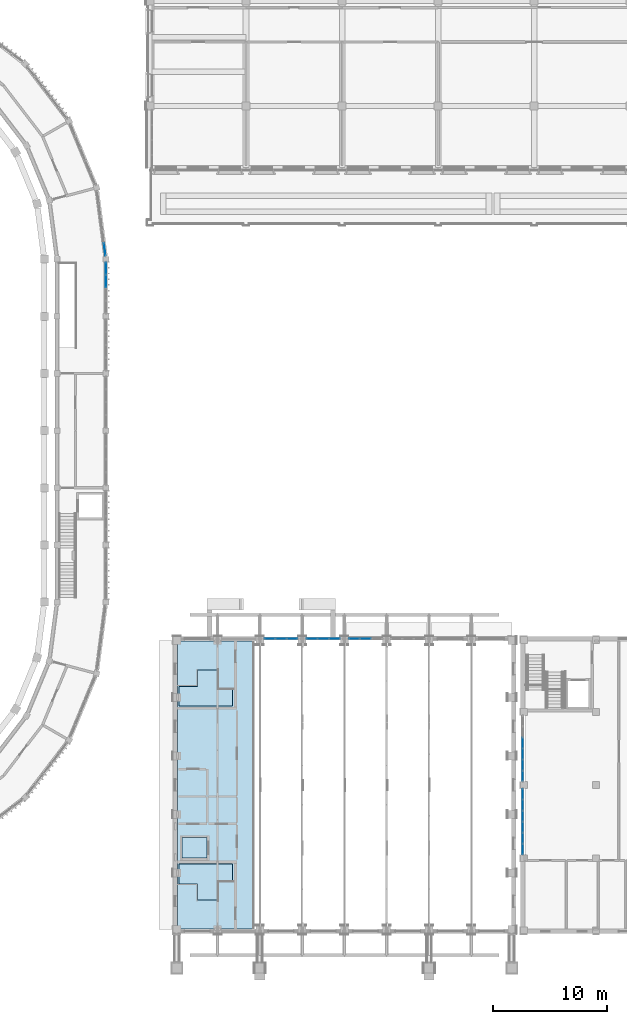
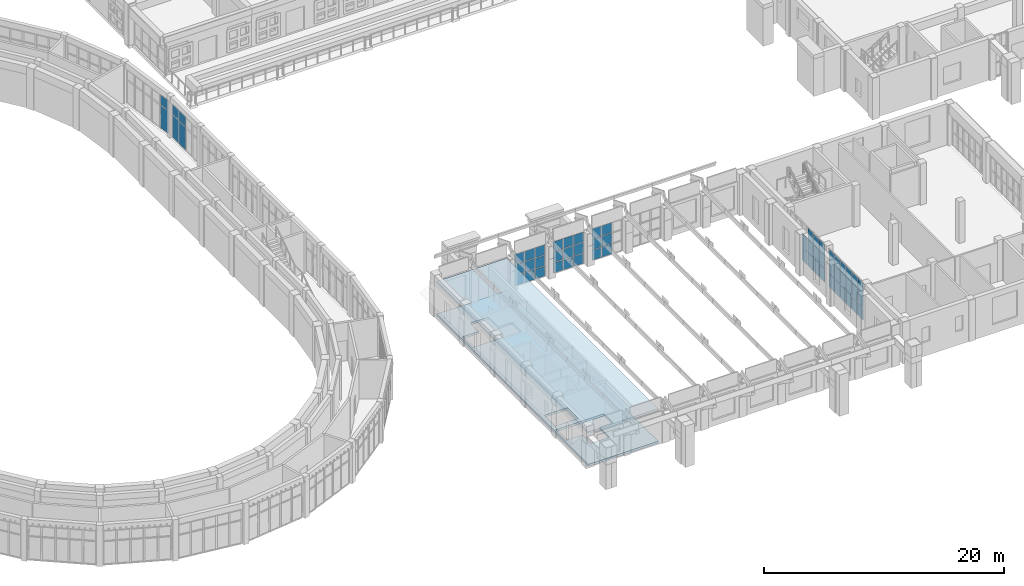
# One storey, part 43 of 99: 59 plates, 2 slabs, 7 elements without a shape of their own.
"""IFC4 building model written with IfcOpenShell, lengths in metres."""

import ifcopenshell
import ifcopenshell.guid

model = None  # the IFC model being written
_history = None  # IfcOwnerHistory: only IFC2X3 demands one
_inside = {}  # id of a spatial element -> (the spatial element, [elements in it])
_under = {}  # id of a project, library or spatial element -> (it, [spatial elements below it])
_declared = {}  # id of a project -> (the project, [libraries it declares])
_typed = {}  # id of a type object -> (the type object, [elements of that type])
_made_of = {}  # id of a material, layer set ... -> (it, [elements and type objects made of it])


def new_model(schema):
    """Start an empty IFC model of exactly this schema.

    Asked for "IFC4X3", IfcOpenShell would pick the latest addendum, in which some entities
    have other attributes; the version numbers below select the first issue.
    IFC2X3 requires an IfcOwnerHistory on every rooted entity: one is made here for all.
    """
    global model, _history
    if schema == "IFC4X3":
        model = ifcopenshell.file(schema_version=(4, 3, 0, 0))
    else:
        model = ifcopenshell.file(schema=schema)
    _inside.clear()
    _under.clear()
    _declared.clear()
    _typed.clear()
    _made_of.clear()
    _history = None
    if model.schema == "IFC2X3":
        org = make("IfcOrganization", Name="unknown")
        user = make(
            "IfcPersonAndOrganization",
            ThePerson=make("IfcPerson", FamilyName="unknown"),
            TheOrganization=org,
        )
        app = make(
            "IfcApplication",
            ApplicationDeveloper=org,
            Version="unknown",
            ApplicationFullName="unknown",
            ApplicationIdentifier="unknown",
        )
        _history = make(
            "IfcOwnerHistory",
            OwningUser=user,
            OwningApplication=app,
            ChangeAction="ADDED",
            CreationDate=0,
        )
    return model


def make(cls, **values):
    """One entity of the class cls with the attributes given. An attribute that is None is left unset."""
    return model.create_entity(
        cls, **{name: value for name, value in values.items() if value is not None}
    )


def rooted(cls, **values):
    """An entity with a GlobalId (a new one), such as an element, a storey or a relation."""
    return make(cls, GlobalId=ifcopenshell.guid.new(), OwnerHistory=_history, **values)


def si_unit(unit_type, name, prefix=None):
    """IfcSIUnit, for example si_unit("LENGTHUNIT", "METRE", prefix="MILLI")."""
    return make("IfcSIUnit", UnitType=unit_type, Prefix=prefix, Name=name)


def assignment(units):
    """IfcUnitAssignment: the units of a project."""
    return None if units is None else make("IfcUnitAssignment", Units=units)


def point(xyz):
    """IfcCartesianPoint."""
    return None if xyz is None else make("IfcCartesianPoint", Coordinates=xyz)


def direction(xyz):
    """IfcDirection."""
    return None if xyz is None else make("IfcDirection", DirectionRatios=xyz)


def frame(location, z_axis=None, x_axis=None):
    """IfcAxis2Placement3D, a coordinate frame: its origin and axes. An axis left out is left unset."""
    return make(
        "IfcAxis2Placement3D",
        Location=point(location),
        Axis=direction(z_axis),
        RefDirection=direction(x_axis),
    )


def frame_2d(location, x_axis=None):
    """IfcAxis2Placement2D, a coordinate frame in the plane: its origin and x axis."""
    return make(
        "IfcAxis2Placement2D", Location=point(location), RefDirection=direction(x_axis)
    )


def origin():
    """The frame at (0, 0, 0) with its axes left unset."""
    return frame((0.0, 0.0, 0.0))


def origin_2d():
    """The frame at (0, 0) in the plane with its x axis left unset."""
    return frame_2d((0.0, 0.0))


def place(relative_to, where):
    """IfcLocalPlacement: puts the frame where relative to a parent placement (None: the world)."""
    return make(
        "IfcLocalPlacement", PlacementRelTo=relative_to, RelativePlacement=where
    )


def context(
    kind, dimensions, precision=None, world=None, true_north=None, identifier=None
):
    """IfcGeometricRepresentationContext, for example the 3D "Model" context."""
    return make(
        "IfcGeometricRepresentationContext",
        ContextIdentifier=identifier,
        ContextType=kind,
        CoordinateSpaceDimension=dimensions,
        Precision=precision,
        WorldCoordinateSystem=world,
        TrueNorth=true_north,
    )


def subcontext(parent, identifier, kind, view, scale=None):
    """IfcGeometricRepresentationSubContext, for example "Body" below "Model"."""
    return make(
        "IfcGeometricRepresentationSubContext",
        ContextIdentifier=identifier,
        ContextType=kind,
        ParentContext=parent,
        TargetScale=scale,
        TargetView=view,
    )


def project(units=None, contexts=None):
    """IfcProject with its units and contexts."""
    return rooted(
        "IfcProject",
        Name="project",
        RepresentationContexts=contexts,
        UnitsInContext=assignment(units),
    )


def spatial(cls, under=None, at=None, **own):
    """A site, building, storey or space (cls), placed at a placement, below another one or the project."""
    s = rooted(cls, ObjectPlacement=at, **own)
    if under is not None:
        _under.setdefault(under.id(), (under, []))[1].append(s)
    return s


def polyline(points):
    """IfcPolyline through the points."""
    return make("IfcPolyline", Points=[point(p) for p in points])


def profile(cls, at=None, kind="AREA", **sizes):
    """A parametric profile (cls). Its sizes go by their IFC names, for example OverallWidth=200.0."""
    return make(cls, ProfileType=kind, Position=at, **sizes)


def rectangle(**sizes):
    """IfcRectangleProfileDef."""
    return profile("IfcRectangleProfileDef", **sizes)


def outline(outer, holes=None, kind="AREA"):
    """IfcArbitraryClosedProfileDef: a profile drawn as a closed curve; with holes, ...WithVoids."""
    if holes is None:
        return make("IfcArbitraryClosedProfileDef", ProfileType=kind, OuterCurve=outer)
    return make(
        "IfcArbitraryProfileDefWithVoids",
        ProfileType=kind,
        OuterCurve=outer,
        InnerCurves=holes,
    )


def extrude(swept, where, along, depth):
    """IfcExtrudedAreaSolid: the profile swept, set in the frame where, extruded along a direction by depth."""
    return make(
        "IfcExtrudedAreaSolid",
        SweptArea=swept,
        Position=where,
        ExtrudedDirection=direction(along),
        Depth=depth,
    )


def shape(context_of_items, identifier, shape_type, items):
    """IfcShapeRepresentation: the items that make up one representation, for example the "Body"."""
    return make(
        "IfcShapeRepresentation",
        ContextOfItems=context_of_items,
        RepresentationIdentifier=identifier,
        RepresentationType=shape_type,
        Items=items,
    )


def material(Name=None, Category=None):
    """IfcMaterial."""
    return make("IfcMaterial", Name=Name, Category=Category)


def layer(
    of_material, thickness, ventilated=None, Name=None, Category=None, Priority=None
):
    """IfcMaterialLayer: one layer of a wall or slab, of a material (None: an air gap)."""
    return make(
        "IfcMaterialLayer",
        Material=of_material,
        LayerThickness=thickness,
        IsVentilated=ventilated,
        Name=Name,
        Category=Category,
        Priority=Priority,
    )


def layer_set(layers, Name=None):
    """IfcMaterialLayerSet."""
    return make("IfcMaterialLayerSet", MaterialLayers=layers, LayerSetName=Name)


def made_of(thing, what):
    """Note that an element or type object is made of a material, layer set ...; save() writes the relation."""
    if what is not None:
        _made_of.setdefault(what.id(), (what, []))[1].append(thing)
    return thing


def type_object(cls, material=None, **own):
    """A type object (cls), such as IfcWallType, which elements share."""
    return made_of(rooted(cls, **own), material)


def element(
    cls,
    number,
    at=None,
    inside=None,
    cuts=None,
    type_object=None,
    material=None,
    context=None,
    identifier="Body",
    shape_type=None,
    held_by="IfcProductDefinitionShape",
    body=None,
    shapes=None,
    **own,
):
    """One element of the class cls, such as IfcWall. Its Tag is "e" and its number.

    at: its placement. inside: the storey or other place that contains it. cuts: it is an
    opening in that element (IfcRelVoidsElement). A single representation is given by context,
    identifier, shape_type and body (its items); several are given by shapes. held_by: the class
    of the entity that holds the representations. save() writes the other relations.
    """
    e = rooted(cls, Tag="e%d" % number, ObjectPlacement=at, **own)
    if body is not None:
        shapes = [shape(context, identifier, shape_type, body)]
    if shapes is not None:
        e.Representation = make(held_by, Representations=shapes)
    if inside is not None:
        _inside.setdefault(inside.id(), (inside, []))[1].append(e)
    if cuts is not None:
        rooted(
            "IfcRelVoidsElement", RelatingBuildingElement=cuts, RelatedOpeningElement=e
        )
    if type_object is not None:
        _typed.setdefault(type_object.id(), (type_object, []))[1].append(e)
    return made_of(e, material)


def aggregate(whole, parts):
    """IfcRelAggregates: a whole, such as a stair, and the parts it consists of."""
    return rooted("IfcRelAggregates", RelatingObject=whole, RelatedObjects=parts)


def save(model, path):
    """Write the relations noted so far, then the file.

    IfcRelAggregates (storeys below a building ...), IfcRelContainedInSpatialStructure (elements
    in a storey), IfcRelDefinesByType, IfcRelAssociatesMaterial and IfcRelDeclares: one each for
    every whole, place, type object, material and project.
    """
    for whole, parts in _under.values():
        aggregate(whole, parts)
    for where, things in _inside.values():
        rooted(
            "IfcRelContainedInSpatialStructure",
            RelatedElements=things,
            RelatingStructure=where,
        )
    for kind, things in _typed.values():
        rooted("IfcRelDefinesByType", RelatedObjects=things, RelatingType=kind)
    for what, things in _made_of.values():
        rooted("IfcRelAssociatesMaterial", RelatedObjects=things, RelatingMaterial=what)
    for by, libraries in _declared.values():
        rooted("IfcRelDeclares", RelatingContext=by, RelatedDefinitions=libraries)
    model.write(path)


model = new_model("IFC4")

# Units and contexts
model_context = context("Model", 3, precision=1e-05, world=origin(), true_north=direction((0.0, 1.0)))
body_context = subcontext(model_context, "Body", "Model", "MODEL_VIEW")
ifc_project = project(units=[si_unit("LENGTHUNIT", "METRE"), si_unit("AREAUNIT", "SQUARE_METRE"), si_unit("VOLUMEUNIT", "CUBIC_METRE"), si_unit("PLANEANGLEUNIT", "RADIAN"), si_unit("MASSUNIT", "GRAM", prefix="KILO")], contexts=[model_context])

# Site, building, storey
site_placement = place(None, origin())
site = spatial("IfcSite", under=ifc_project, at=site_placement, CompositionType="ELEMENT")
building_placement = place(site_placement, origin())
building = spatial("IfcBuilding", under=site, at=building_placement, Name="Wasatch Bagh Community Centre", CompositionType="ELEMENT")
storey_placement = place(building_placement, frame((0.0, 0.0, 4.199951171875)))
storey = spatial("IfcBuildingStorey", under=building, at=storey_placement, Name="L01", CompositionType="ELEMENT", Elevation=4.199951171875)

# Slabs
ifc_material_1 = material(Name="Concrete C35", Category="concrete")
ifc_layer_1 = layer(ifc_material_1, 0.199951171875)
ifc_layer_set_1 = layer_set([ifc_layer_1], Name="Concrete C35")
slab_type_1 = type_object("IfcSlabType", Name="DH ceiling slab 200", PredefinedType="FLOOR", material=ifc_layer_set_1)
slab_1_placement = place(storey_placement, frame((0.0, 0.0, 3.10009765625)))
element("IfcSlab", 1, at=slab_1_placement, inside=storey, type_object=slab_type_1, Name="DH.slab.L01.ceiling", PredefinedType="FLOOR", context=body_context, shape_type="SweptSolid", body=[
    extrude(outline(polyline([(66.39990234375, 6.39990234375), (73.125, 6.39990234375), (73.125, 31.60009765625), (66.39990234375, 31.60009765625), (66.39990234375, 6.39990234375)])), origin(), (0.0, 0.0, 1.0), 0.199951171875),
])
ifc_layer_2 = layer(ifc_material_1, 0.219970703125)
ifc_layer_set_2 = layer_set([ifc_layer_2], Name="Concrete C35")
slab_type_2 = type_object("IfcSlabType", Name="DH gallery floor slab 220", PredefinedType="FLOOR", material=ifc_layer_set_2)
slab_2_placement = place(storey_placement, frame((0.0, 0.0, -0.219970703125)))
element("IfcSlab", 2, at=slab_2_placement, inside=storey, type_object=slab_type_2, Name="DH.slab.L01.gallery", PredefinedType="FLOOR", context=body_context, shape_type="SweptSolid", body=[
    extrude(outline(polyline([(66.39990234375, 6.39990234375), (73.125, 6.39990234375), (73.125, 31.60009765625), (66.39990234375, 31.60009765625), (66.39990234375, 6.39990234375)]), holes=[polyline([(66.550048828125, 10.35791015625), (66.550048828125, 12.10009765625), (71.199951171875, 12.10009765625), (71.199951171875, 10.6298828125), (69.89990234375, 10.6298828125), (69.89990234375, 8.93994140625), (68.14990234375, 8.93994140625), (68.14990234375, 10.35791015625), (66.550048828125, 10.35791015625)]), polyline([(66.550048828125, 27.64208984375), (66.550048828125, 25.89990234375), (71.199951171875, 25.89990234375), (71.199951171875, 27.3701171875), (69.89990234375, 27.3701171875), (69.89990234375, 29.06005859375), (68.14990234375, 29.06005859375), (68.14990234375, 27.64208984375), (66.550048828125, 27.64208984375)]), polyline([(66.800048828125, 12.60009765625), (69.0, 12.60009765625), (69.0, 14.39990234375), (66.800048828125, 14.39990234375), (66.800048828125, 12.60009765625)])]), origin(), (0.0, 0.0, 1.0), 0.219970703125),
])

# Curtain wall, plates
ifc_material_2 = material(Name="Aluminium alloy 6063-T6", Category="aluminium")
ifc_layer_3 = layer(ifc_material_2, 0.10009765625)
ifc_layer_set_3 = layer_set([ifc_layer_3], Name="Aluminium alloy 6063-T6")
curtain_wall_type_1 = type_object("IfcCurtainWallType", Name="DH-CW2", PredefinedType="NOTDEFINED", material=ifc_layer_set_3)
curtain_wall_1_placement = place(storey_placement, origin())
curtain_wall_1 = element("IfcCurtainWall", 3, at=curtain_wall_1_placement, inside=storey, type_object=curtain_wall_type_1, Name="Curtain wall DH-CW2", PredefinedType="NOTDEFINED")
ifc_material_3 = material(Name="Laminated glass 8+8 mm", Category="glass")
ifc_layer_4 = layer(ifc_material_3, 0.028076171875)
ifc_layer_set_4 = layer_set([ifc_layer_4], Name="Laminated glass 8+8 mm")
plate_type_1 = type_object("IfcPlateType", Name="DH-CW2 panel", PredefinedType="CURTAIN_PANEL", material=ifc_layer_set_4)
plate_1_placement = place(storey_placement, frame((78.1650390625, 31.800048828125, 0.06005859375), z_axis=(0.0, 0.0, 1.0), x_axis=(1.0, 0.0, 0.0)))
plate_1 = element("IfcPlate", 4, at=plate_1_placement, type_object=plate_type_1, Name="DH-CW2 panel 1.1", PredefinedType="CURTAIN_PANEL", context=body_context, shape_type="SweptSolid", body=[
    extrude(rectangle(XDim=0.909912109375, YDim=0.028076171875, at=origin_2d()), origin(), (0.0, 0.0, 1.0), 1.010009765625),
])
plate_2_placement = place(storey_placement, frame((78.1650390625, 31.800048828125, 1.130126953125), z_axis=(0.0, 0.0, 1.0), x_axis=(1.0, 0.0, 0.0)))
plate_2 = element("IfcPlate", 5, at=plate_2_placement, type_object=plate_type_1, Name="DH-CW2 panel 1.2", PredefinedType="CURTAIN_PANEL", context=body_context, shape_type="SweptSolid", body=[
    extrude(rectangle(XDim=0.909912109375, YDim=0.028076171875, at=origin_2d()), origin(), (0.0, 0.0, 1.0), 1.0400390625),
])
plate_3_placement = place(storey_placement, frame((78.1650390625, 31.800048828125, 2.22998046875), z_axis=(0.0, 0.0, 1.0), x_axis=(1.0, 0.0, 0.0)))
plate_3 = element("IfcPlate", 6, at=plate_3_placement, type_object=plate_type_1, Name="DH-CW2 panel 1.3", PredefinedType="CURTAIN_PANEL", context=body_context, shape_type="SweptSolid", body=[
    extrude(rectangle(XDim=0.909912109375, YDim=0.028076171875, at=origin_2d()), origin(), (0.0, 0.0, 1.0), 1.010009765625),
])
plate_4_placement = place(storey_placement, frame((79.14990234375, 31.800048828125, 0.06005859375), z_axis=(0.0, 0.0, 1.0), x_axis=(1.0, 0.0, 0.0)))
plate_4 = element("IfcPlate", 7, at=plate_4_placement, type_object=plate_type_1, Name="DH-CW2 panel 2.1", PredefinedType="CURTAIN_PANEL", context=body_context, shape_type="SweptSolid", body=[
    extrude(rectangle(XDim=0.93994140625, YDim=0.028076171875, at=origin_2d()), origin(), (0.0, 0.0, 1.0), 1.010009765625),
])
plate_5_placement = place(storey_placement, frame((79.14990234375, 31.800048828125, 1.130126953125), z_axis=(0.0, 0.0, 1.0), x_axis=(1.0, 0.0, 0.0)))
plate_5 = element("IfcPlate", 8, at=plate_5_placement, type_object=plate_type_1, Name="DH-CW2 panel 2.2", PredefinedType="CURTAIN_PANEL", context=body_context, shape_type="SweptSolid", body=[
    extrude(rectangle(XDim=0.93994140625, YDim=0.028076171875, at=origin_2d()), origin(), (0.0, 0.0, 1.0), 1.0400390625),
])
plate_6_placement = place(storey_placement, frame((79.14990234375, 31.800048828125, 2.22998046875), z_axis=(0.0, 0.0, 1.0), x_axis=(1.0, 0.0, 0.0)))
plate_6 = element("IfcPlate", 9, at=plate_6_placement, type_object=plate_type_1, Name="DH-CW2 panel 2.3", PredefinedType="CURTAIN_PANEL", context=body_context, shape_type="SweptSolid", body=[
    extrude(rectangle(XDim=0.93994140625, YDim=0.028076171875, at=origin_2d()), origin(), (0.0, 0.0, 1.0), 1.010009765625),
])
plate_7_placement = place(storey_placement, frame((80.135009765625, 31.800048828125, 0.06005859375), z_axis=(0.0, 0.0, 1.0), x_axis=(1.0, 0.0, 0.0)))
plate_7 = element("IfcPlate", 10, at=plate_7_placement, type_object=plate_type_1, Name="DH-CW2 panel 3.1", PredefinedType="CURTAIN_PANEL", context=body_context, shape_type="SweptSolid", body=[
    extrude(rectangle(XDim=0.909912109375, YDim=0.028076171875, at=origin_2d()), origin(), (0.0, 0.0, 1.0), 1.010009765625),
])
plate_8_placement = place(storey_placement, frame((80.135009765625, 31.800048828125, 1.130126953125), z_axis=(0.0, 0.0, 1.0), x_axis=(1.0, 0.0, 0.0)))
plate_8 = element("IfcPlate", 11, at=plate_8_placement, type_object=plate_type_1, Name="DH-CW2 panel 3.2", PredefinedType="CURTAIN_PANEL", context=body_context, shape_type="SweptSolid", body=[
    extrude(rectangle(XDim=0.909912109375, YDim=0.028076171875, at=origin_2d()), origin(), (0.0, 0.0, 1.0), 1.0400390625),
])
plate_9_placement = place(storey_placement, frame((80.135009765625, 31.800048828125, 2.22998046875), z_axis=(0.0, 0.0, 1.0), x_axis=(1.0, 0.0, 0.0)))
plate_9 = element("IfcPlate", 12, at=plate_9_placement, type_object=plate_type_1, Name="DH-CW2 panel 3.3", PredefinedType="CURTAIN_PANEL", context=body_context, shape_type="SweptSolid", body=[
    extrude(rectangle(XDim=0.909912109375, YDim=0.028076171875, at=origin_2d()), origin(), (0.0, 0.0, 1.0), 1.010009765625),
])
aggregate(curtain_wall_1, [plate_1, plate_2, plate_3, plate_4, plate_5, plate_6, plate_7, plate_8, plate_9])

curtain_wall_2_placement = place(storey_placement, origin())
curtain_wall_2 = element("IfcCurtainWall", 13, at=curtain_wall_2_placement, inside=storey, type_object=curtain_wall_type_1, Name="Curtain wall DH-CW2", PredefinedType="NOTDEFINED")
plate_10_placement = place(storey_placement, frame((81.864990234375, 31.800048828125, 0.06005859375), z_axis=(0.0, 0.0, 1.0), x_axis=(1.0, 0.0, 0.0)))
plate_10 = element("IfcPlate", 14, at=plate_10_placement, type_object=plate_type_1, Name="DH-CW2 panel 1.1", PredefinedType="CURTAIN_PANEL", context=body_context, shape_type="SweptSolid", body=[
    extrude(rectangle(XDim=0.909912109375, YDim=0.028076171875, at=origin_2d()), origin(), (0.0, 0.0, 1.0), 1.010009765625),
])
plate_11_placement = place(storey_placement, frame((81.864990234375, 31.800048828125, 1.130126953125), z_axis=(0.0, 0.0, 1.0), x_axis=(1.0, 0.0, 0.0)))
plate_11 = element("IfcPlate", 15, at=plate_11_placement, type_object=plate_type_1, Name="DH-CW2 panel 1.2", PredefinedType="CURTAIN_PANEL", context=body_context, shape_type="SweptSolid", body=[
    extrude(rectangle(XDim=0.909912109375, YDim=0.028076171875, at=origin_2d()), origin(), (0.0, 0.0, 1.0), 1.0400390625),
])
plate_12_placement = place(storey_placement, frame((81.864990234375, 31.800048828125, 2.22998046875), z_axis=(0.0, 0.0, 1.0), x_axis=(1.0, 0.0, 0.0)))
plate_12 = element("IfcPlate", 16, at=plate_12_placement, type_object=plate_type_1, Name="DH-CW2 panel 1.3", PredefinedType="CURTAIN_PANEL", context=body_context, shape_type="SweptSolid", body=[
    extrude(rectangle(XDim=0.909912109375, YDim=0.028076171875, at=origin_2d()), origin(), (0.0, 0.0, 1.0), 1.010009765625),
])
plate_13_placement = place(storey_placement, frame((82.85009765625, 31.800048828125, 0.06005859375), z_axis=(0.0, 0.0, 1.0), x_axis=(1.0, 0.0, 0.0)))
plate_13 = element("IfcPlate", 17, at=plate_13_placement, type_object=plate_type_1, Name="DH-CW2 panel 2.1", PredefinedType="CURTAIN_PANEL", context=body_context, shape_type="SweptSolid", body=[
    extrude(rectangle(XDim=0.93994140625, YDim=0.028076171875, at=origin_2d()), origin(), (0.0, 0.0, 1.0), 1.010009765625),
])
plate_14_placement = place(storey_placement, frame((82.85009765625, 31.800048828125, 1.130126953125), z_axis=(0.0, 0.0, 1.0), x_axis=(1.0, 0.0, 0.0)))
plate_14 = element("IfcPlate", 18, at=plate_14_placement, type_object=plate_type_1, Name="DH-CW2 panel 2.2", PredefinedType="CURTAIN_PANEL", context=body_context, shape_type="SweptSolid", body=[
    extrude(rectangle(XDim=0.93994140625, YDim=0.028076171875, at=origin_2d()), origin(), (0.0, 0.0, 1.0), 1.0400390625),
])
plate_15_placement = place(storey_placement, frame((82.85009765625, 31.800048828125, 2.22998046875), z_axis=(0.0, 0.0, 1.0), x_axis=(1.0, 0.0, 0.0)))
plate_15 = element("IfcPlate", 19, at=plate_15_placement, type_object=plate_type_1, Name="DH-CW2 panel 2.3", PredefinedType="CURTAIN_PANEL", context=body_context, shape_type="SweptSolid", body=[
    extrude(rectangle(XDim=0.93994140625, YDim=0.028076171875, at=origin_2d()), origin(), (0.0, 0.0, 1.0), 1.010009765625),
])
aggregate(curtain_wall_2, [plate_10, plate_11, plate_12, plate_13, plate_14, plate_15])

ifc_layer_5 = layer(ifc_material_2, 0.10009765625)
ifc_layer_set_5 = layer_set([ifc_layer_5], Name="Aluminium alloy 6063-T6")
curtain_wall_type_2 = type_object("IfcCurtainWallType", Name="DH-CW3", PredefinedType="NOTDEFINED", material=ifc_layer_set_5)
curtain_wall_3_placement = place(storey_placement, origin())
curtain_wall_3 = element("IfcCurtainWall", 20, at=curtain_wall_3_placement, inside=storey, type_object=curtain_wall_type_2, Name="Curtain wall DH-CW3", PredefinedType="NOTDEFINED")
ifc_layer_6 = layer(ifc_material_3, 0.028076171875)
ifc_layer_set_6 = layer_set([ifc_layer_6], Name="Laminated glass 8+8 mm")
plate_type_2 = type_object("IfcPlateType", Name="DH-CW3 panel", PredefinedType="CURTAIN_PANEL", material=ifc_layer_set_6)
plate_16_placement = place(storey_placement, frame((74.465087890625, 31.800048828125, 0.06005859375), z_axis=(0.0, 0.0, 1.0), x_axis=(1.0, 0.0, 0.0)))
plate_16 = element("IfcPlate", 21, at=plate_16_placement, type_object=plate_type_2, Name="DH-CW3 panel 1.1", PredefinedType="CURTAIN_PANEL", context=body_context, shape_type="SweptSolid", body=[
    extrude(rectangle(XDim=0.909912109375, YDim=0.028076171875, at=origin_2d()), origin(), (0.0, 0.0, 1.0), 1.010009765625),
])
plate_17_placement = place(storey_placement, frame((74.465087890625, 31.800048828125, 1.130126953125), z_axis=(0.0, 0.0, 1.0), x_axis=(1.0, 0.0, 0.0)))
plate_17 = element("IfcPlate", 22, at=plate_17_placement, type_object=plate_type_2, Name="DH-CW3 panel 1.2", PredefinedType="CURTAIN_PANEL", context=body_context, shape_type="SweptSolid", body=[
    extrude(rectangle(XDim=0.909912109375, YDim=0.028076171875, at=origin_2d()), origin(), (0.0, 0.0, 1.0), 1.0400390625),
])
plate_18_placement = place(storey_placement, frame((74.465087890625, 31.800048828125, 2.22998046875), z_axis=(0.0, 0.0, 1.0), x_axis=(1.0, 0.0, 0.0)))
plate_18 = element("IfcPlate", 23, at=plate_18_placement, type_object=plate_type_2, Name="DH-CW3 panel 1.3", PredefinedType="CURTAIN_PANEL", context=body_context, shape_type="SweptSolid", body=[
    extrude(rectangle(XDim=0.909912109375, YDim=0.028076171875, at=origin_2d()), origin(), (0.0, 0.0, 1.0), 1.010009765625),
])
plate_19_placement = place(storey_placement, frame((75.449951171875, 31.800048828125, 0.06005859375), z_axis=(0.0, 0.0, 1.0), x_axis=(1.0, 0.0, 0.0)))
plate_19 = element("IfcPlate", 24, at=plate_19_placement, type_object=plate_type_2, Name="DH-CW3 panel 2.1", PredefinedType="CURTAIN_PANEL", context=body_context, shape_type="SweptSolid", body=[
    extrude(rectangle(XDim=0.93994140625, YDim=0.028076171875, at=origin_2d()), origin(), (0.0, 0.0, 1.0), 1.010009765625),
])
plate_20_placement = place(storey_placement, frame((75.449951171875, 31.800048828125, 1.130126953125), z_axis=(0.0, 0.0, 1.0), x_axis=(1.0, 0.0, 0.0)))
plate_20 = element("IfcPlate", 25, at=plate_20_placement, type_object=plate_type_2, Name="DH-CW3 panel 2.2", PredefinedType="CURTAIN_PANEL", context=body_context, shape_type="SweptSolid", body=[
    extrude(rectangle(XDim=0.93994140625, YDim=0.028076171875, at=origin_2d()), origin(), (0.0, 0.0, 1.0), 1.0400390625),
])
plate_21_placement = place(storey_placement, frame((75.449951171875, 31.800048828125, 2.22998046875), z_axis=(0.0, 0.0, 1.0), x_axis=(1.0, 0.0, 0.0)))
plate_21 = element("IfcPlate", 26, at=plate_21_placement, type_object=plate_type_2, Name="DH-CW3 panel 2.3", PredefinedType="CURTAIN_PANEL", context=body_context, shape_type="SweptSolid", body=[
    extrude(rectangle(XDim=0.93994140625, YDim=0.028076171875, at=origin_2d()), origin(), (0.0, 0.0, 1.0), 1.010009765625),
])
plate_22_placement = place(storey_placement, frame((76.43505859375, 31.800048828125, 0.06005859375), z_axis=(0.0, 0.0, 1.0), x_axis=(1.0, 0.0, 0.0)))
plate_22 = element("IfcPlate", 27, at=plate_22_placement, type_object=plate_type_2, Name="DH-CW3 panel 3.1", PredefinedType="CURTAIN_PANEL", context=body_context, shape_type="SweptSolid", body=[
    extrude(rectangle(XDim=0.909912109375, YDim=0.028076171875, at=origin_2d()), origin(), (0.0, 0.0, 1.0), 1.010009765625),
])
plate_23_placement = place(storey_placement, frame((76.43505859375, 31.800048828125, 1.130126953125), z_axis=(0.0, 0.0, 1.0), x_axis=(1.0, 0.0, 0.0)))
plate_23 = element("IfcPlate", 28, at=plate_23_placement, type_object=plate_type_2, Name="DH-CW3 panel 3.2", PredefinedType="CURTAIN_PANEL", context=body_context, shape_type="SweptSolid", body=[
    extrude(rectangle(XDim=0.909912109375, YDim=0.028076171875, at=origin_2d()), origin(), (0.0, 0.0, 1.0), 1.0400390625),
])
plate_24_placement = place(storey_placement, frame((76.43505859375, 31.800048828125, 2.22998046875), z_axis=(0.0, 0.0, 1.0), x_axis=(1.0, 0.0, 0.0)))
plate_24 = element("IfcPlate", 29, at=plate_24_placement, type_object=plate_type_2, Name="DH-CW3 panel 3.3", PredefinedType="CURTAIN_PANEL", context=body_context, shape_type="SweptSolid", body=[
    extrude(rectangle(XDim=0.909912109375, YDim=0.028076171875, at=origin_2d()), origin(), (0.0, 0.0, 1.0), 1.010009765625),
])
aggregate(curtain_wall_3, [plate_16, plate_17, plate_18, plate_19, plate_20, plate_21, plate_22, plate_23, plate_24])

ifc_material_4 = material(Name="Aluminium curtain wall frame with low-iron insulated glass", Category="aluminium")
ifc_layer_7 = layer(ifc_material_4, 0.14990234375)
ifc_layer_set_7 = layer_set([ifc_layer_7], Name="Aluminium curtain wall frame with low-iron insulated glass")
curtain_wall_type_3 = type_object("IfcCurtainWallType", Name="Drum curtain wall DR-CW2", PredefinedType="NOTDEFINED", material=ifc_layer_set_7)
curtain_wall_4_placement = place(storey_placement, origin())
curtain_wall_4 = element("IfcCurtainWall", 30, at=curtain_wall_4_placement, inside=storey, type_object=curtain_wall_type_3, Name="Curtain wall DR-CW2 19", PredefinedType="NOTDEFINED")
ifc_material_5 = material(Name="Low-iron insulated glass", Category="glass")
ifc_layer_8 = layer(ifc_material_5, 0.028076171875)
ifc_layer_set_8 = layer_set([ifc_layer_8], Name="Low-iron insulated glass")
plate_type_3 = type_object("IfcPlateType", Name="Drum glass panel DR-CW2", PredefinedType="CURTAIN_PANEL", material=ifc_layer_set_8)
plate_25_placement = place(storey_placement, frame((60.038330078125, 65.84814453125, 0.06005859375), z_axis=(0.0, 0.0, 1.0), x_axis=(-0.130526192185, 0.991444861378, 0.0)))
plate_25 = element("IfcPlate", 31, at=plate_25_placement, type_object=plate_type_3, Name="DR-CW2 panel 1.1", PredefinedType="CURTAIN_PANEL", context=body_context, shape_type="SweptSolid", body=[
    extrude(rectangle(XDim=1.06591796875, YDim=0.028076171875, at=origin_2d()), origin(), (0.0, 0.0, 1.0), 2.31005859375),
])
plate_26_placement = place(storey_placement, frame((60.038330078125, 65.84814453125, 2.43017578125), z_axis=(0.0, 0.0, 1.0), x_axis=(-0.130526192185, 0.991444861378, 0.0)))
plate_26 = element("IfcPlate", 32, at=plate_26_placement, type_object=plate_type_3, Name="DR-CW2 panel 1.2", PredefinedType="CURTAIN_PANEL", context=body_context, shape_type="SweptSolid", body=[
    extrude(rectangle(XDim=1.06591796875, YDim=0.028076171875, at=origin_2d()), origin(), (0.0, 0.0, 1.0), 1.010009765625),
])
aggregate(curtain_wall_4, [plate_25, plate_26])

ifc_layer_9 = layer(ifc_material_4, 0.14990234375)
ifc_layer_set_9 = layer_set([ifc_layer_9], Name="Aluminium curtain wall frame with low-iron insulated glass")
curtain_wall_type_4 = type_object("IfcCurtainWallType", Name="Drum curtain wall DR-CW4", PredefinedType="NOTDEFINED", material=ifc_layer_set_9)
curtain_wall_5_placement = place(storey_placement, origin())
curtain_wall_5 = element("IfcCurtainWall", 33, at=curtain_wall_5_placement, inside=storey, type_object=curtain_wall_type_4, Name="Curtain wall DR-CW4 18", PredefinedType="NOTDEFINED")
ifc_layer_10 = layer(ifc_material_5, 0.028076171875)
ifc_layer_set_10 = layer_set([ifc_layer_10], Name="Low-iron insulated glass")
plate_type_4 = type_object("IfcPlateType", Name="Drum glass panel DR-CW4", PredefinedType="CURTAIN_PANEL", material=ifc_layer_set_10)
plate_27_placement = place(storey_placement, frame((60.14990234375, 63.062255859375, 0.06005859375), z_axis=(0.0, 0.0, 1.0), x_axis=(0.0, 1.0, 0.0)))
plate_27 = element("IfcPlate", 34, at=plate_27_placement, type_object=plate_type_4, Name="DR-CW4 panel 3.1", PredefinedType="CURTAIN_PANEL", context=body_context, shape_type="SweptSolid", body=[
    extrude(rectangle(XDim=1.064697265625, YDim=0.028076171875, at=origin_2d()), origin(), (0.0, 0.0, 1.0), 2.31005859375),
])
plate_28_placement = place(storey_placement, frame((60.14990234375, 63.062255859375, 2.43017578125), z_axis=(0.0, 0.0, 1.0), x_axis=(0.0, 1.0, 0.0)))
plate_28 = element("IfcPlate", 35, at=plate_28_placement, type_object=plate_type_4, Name="DR-CW4 panel 3.2", PredefinedType="CURTAIN_PANEL", context=body_context, shape_type="SweptSolid", body=[
    extrude(rectangle(XDim=1.064697265625, YDim=0.028076171875, at=origin_2d()), origin(), (0.0, 0.0, 1.0), 1.010009765625),
])
plate_29_placement = place(storey_placement, frame((60.14990234375, 64.172119140625, 0.06005859375), z_axis=(0.0, 0.0, 1.0), x_axis=(0.0, 1.0, 0.0)))
plate_29 = element("IfcPlate", 36, at=plate_29_placement, type_object=plate_type_4, Name="DR-CW4 panel 4.1", PredefinedType="CURTAIN_PANEL", context=body_context, shape_type="SweptSolid", body=[
    extrude(rectangle(XDim=1.03466796875, YDim=0.028076171875, at=origin_2d()), origin(), (0.0, 0.0, 1.0), 2.31005859375),
])
plate_30_placement = place(storey_placement, frame((60.14990234375, 64.172119140625, 2.43017578125), z_axis=(0.0, 0.0, 1.0), x_axis=(0.0, 1.0, 0.0)))
plate_30 = element("IfcPlate", 37, at=plate_30_placement, type_object=plate_type_4, Name="DR-CW4 panel 4.2", PredefinedType="CURTAIN_PANEL", context=body_context, shape_type="SweptSolid", body=[
    extrude(rectangle(XDim=1.03466796875, YDim=0.028076171875, at=origin_2d()), origin(), (0.0, 0.0, 1.0), 1.010009765625),
])
aggregate(curtain_wall_5, [plate_27, plate_28, plate_29, plate_30])

ifc_layer_11 = layer(ifc_material_2, 0.10009765625)
ifc_layer_set_11 = layer_set([ifc_layer_11], Name="Aluminium alloy 6063-T6")
curtain_wall_type_5 = type_object("IfcCurtainWallType", Name="KW-CW1", PredefinedType="NOTDEFINED", material=ifc_layer_set_11)
curtain_wall_6_placement = place(storey_placement, origin())
curtain_wall_6 = element("IfcCurtainWall", 38, at=curtain_wall_6_placement, inside=storey, type_object=curtain_wall_type_5, Name="Curtain wall KW-CW1", PredefinedType="NOTDEFINED")
ifc_layer_12 = layer(ifc_material_3, 0.028076171875)
ifc_layer_set_12 = layer_set([ifc_layer_12], Name="Laminated glass 8+8 mm")
plate_type_5 = type_object("IfcPlateType", Name="KW-CW1 panel", PredefinedType="CURTAIN_PANEL", material=ifc_layer_set_12)
plate_31_placement = place(storey_placement, frame((96.60009765625, 13.3984375, 0.06005859375), z_axis=(0.0, 0.0, 1.0), x_axis=(0.0, 1.0, 0.0)))
plate_31 = element("IfcPlate", 39, at=plate_31_placement, type_object=plate_type_5, Name="KW-CW1 panel 1.1", PredefinedType="CURTAIN_PANEL", context=body_context, shape_type="SweptSolid", body=[
    extrude(rectangle(XDim=0.876708984375, YDim=0.028076171875, at=origin_2d()), origin(), (0.0, 0.0, 1.0), 1.31005859375),
])
plate_32_placement = place(storey_placement, frame((96.60009765625, 13.3984375, 1.43017578125), z_axis=(0.0, 0.0, 1.0), x_axis=(0.0, 1.0, 0.0)))
plate_32 = element("IfcPlate", 40, at=plate_32_placement, type_object=plate_type_5, Name="KW-CW1 panel 1.2", PredefinedType="CURTAIN_PANEL", context=body_context, shape_type="SweptSolid", body=[
    extrude(rectangle(XDim=0.876708984375, YDim=0.028076171875, at=origin_2d()), origin(), (0.0, 0.0, 1.0), 1.340087890625),
])
plate_33_placement = place(storey_placement, frame((96.60009765625, 13.3984375, 2.830078125), z_axis=(0.0, 0.0, 1.0), x_axis=(0.0, 1.0, 0.0)))
plate_33 = element("IfcPlate", 41, at=plate_33_placement, type_object=plate_type_5, Name="KW-CW1 panel 1.3", PredefinedType="CURTAIN_PANEL", context=body_context, shape_type="SweptSolid", body=[
    extrude(rectangle(XDim=0.876708984375, YDim=0.028076171875, at=origin_2d()), origin(), (0.0, 0.0, 1.0), 1.030029296875),
])
plate_34_placement = place(storey_placement, frame((96.60009765625, 14.35009765625, 0.06005859375), z_axis=(0.0, 0.0, 1.0), x_axis=(0.0, 1.0, 0.0)))
plate_34 = element("IfcPlate", 42, at=plate_34_placement, type_object=plate_type_5, Name="KW-CW1 panel 2.1", PredefinedType="CURTAIN_PANEL", context=body_context, shape_type="SweptSolid", body=[
    extrude(rectangle(XDim=0.90673828125, YDim=0.028076171875, at=origin_2d()), origin(), (0.0, 0.0, 1.0), 1.31005859375),
])
plate_35_placement = place(storey_placement, frame((96.60009765625, 14.35009765625, 1.43017578125), z_axis=(0.0, 0.0, 1.0), x_axis=(0.0, 1.0, 0.0)))
plate_35 = element("IfcPlate", 43, at=plate_35_placement, type_object=plate_type_5, Name="KW-CW1 panel 2.2", PredefinedType="CURTAIN_PANEL", context=body_context, shape_type="SweptSolid", body=[
    extrude(rectangle(XDim=0.90673828125, YDim=0.028076171875, at=origin_2d()), origin(), (0.0, 0.0, 1.0), 1.340087890625),
])
plate_36_placement = place(storey_placement, frame((96.60009765625, 14.35009765625, 2.830078125), z_axis=(0.0, 0.0, 1.0), x_axis=(0.0, 1.0, 0.0)))
plate_36 = element("IfcPlate", 44, at=plate_36_placement, type_object=plate_type_5, Name="KW-CW1 panel 2.3", PredefinedType="CURTAIN_PANEL", context=body_context, shape_type="SweptSolid", body=[
    extrude(rectangle(XDim=0.90673828125, YDim=0.028076171875, at=origin_2d()), origin(), (0.0, 0.0, 1.0), 1.030029296875),
])
plate_37_placement = place(storey_placement, frame((96.60009765625, 15.316650390625, 0.06005859375), z_axis=(0.0, 0.0, 1.0), x_axis=(0.0, 1.0, 0.0)))
plate_37 = element("IfcPlate", 45, at=plate_37_placement, type_object=plate_type_5, Name="KW-CW1 panel 3.1", PredefinedType="CURTAIN_PANEL", context=body_context, shape_type="SweptSolid", body=[
    extrude(rectangle(XDim=0.90673828125, YDim=0.028076171875, at=origin_2d()), origin(), (0.0, 0.0, 1.0), 1.31005859375),
])
plate_38_placement = place(storey_placement, frame((96.60009765625, 15.316650390625, 1.43017578125), z_axis=(0.0, 0.0, 1.0), x_axis=(0.0, 1.0, 0.0)))
plate_38 = element("IfcPlate", 46, at=plate_38_placement, type_object=plate_type_5, Name="KW-CW1 panel 3.2", PredefinedType="CURTAIN_PANEL", context=body_context, shape_type="SweptSolid", body=[
    extrude(rectangle(XDim=0.90673828125, YDim=0.028076171875, at=origin_2d()), origin(), (0.0, 0.0, 1.0), 1.340087890625),
])
plate_39_placement = place(storey_placement, frame((96.60009765625, 15.316650390625, 2.830078125), z_axis=(0.0, 0.0, 1.0), x_axis=(0.0, 1.0, 0.0)))
plate_39 = element("IfcPlate", 47, at=plate_39_placement, type_object=plate_type_5, Name="KW-CW1 panel 3.3", PredefinedType="CURTAIN_PANEL", context=body_context, shape_type="SweptSolid", body=[
    extrude(rectangle(XDim=0.90673828125, YDim=0.028076171875, at=origin_2d()), origin(), (0.0, 0.0, 1.0), 1.030029296875),
])
plate_40_placement = place(storey_placement, frame((96.60009765625, 16.283447265625, 0.06005859375), z_axis=(0.0, 0.0, 1.0), x_axis=(0.0, 1.0, 0.0)))
plate_40 = element("IfcPlate", 48, at=plate_40_placement, type_object=plate_type_5, Name="KW-CW1 panel 4.1", PredefinedType="CURTAIN_PANEL", context=body_context, shape_type="SweptSolid", body=[
    extrude(rectangle(XDim=0.90673828125, YDim=0.028076171875, at=origin_2d()), origin(), (0.0, 0.0, 1.0), 1.31005859375),
])
plate_41_placement = place(storey_placement, frame((96.60009765625, 16.283447265625, 1.43017578125), z_axis=(0.0, 0.0, 1.0), x_axis=(0.0, 1.0, 0.0)))
plate_41 = element("IfcPlate", 49, at=plate_41_placement, type_object=plate_type_5, Name="KW-CW1 panel 4.2", PredefinedType="CURTAIN_PANEL", context=body_context, shape_type="SweptSolid", body=[
    extrude(rectangle(XDim=0.90673828125, YDim=0.028076171875, at=origin_2d()), origin(), (0.0, 0.0, 1.0), 1.340087890625),
])
plate_42_placement = place(storey_placement, frame((96.60009765625, 16.283447265625, 2.830078125), z_axis=(0.0, 0.0, 1.0), x_axis=(0.0, 1.0, 0.0)))
plate_42 = element("IfcPlate", 50, at=plate_42_placement, type_object=plate_type_5, Name="KW-CW1 panel 4.3", PredefinedType="CURTAIN_PANEL", context=body_context, shape_type="SweptSolid", body=[
    extrude(rectangle(XDim=0.90673828125, YDim=0.028076171875, at=origin_2d()), origin(), (0.0, 0.0, 1.0), 1.030029296875),
])
plate_43_placement = place(storey_placement, frame((96.60009765625, 17.25, 0.06005859375), z_axis=(0.0, 0.0, 1.0), x_axis=(0.0, 1.0, 0.0)))
plate_43 = element("IfcPlate", 51, at=plate_43_placement, type_object=plate_type_5, Name="KW-CW1 panel 5.1", PredefinedType="CURTAIN_PANEL", context=body_context, shape_type="SweptSolid", body=[
    extrude(rectangle(XDim=0.90673828125, YDim=0.028076171875, at=origin_2d()), origin(), (0.0, 0.0, 1.0), 1.31005859375),
])
plate_44_placement = place(storey_placement, frame((96.60009765625, 17.25, 1.43017578125), z_axis=(0.0, 0.0, 1.0), x_axis=(0.0, 1.0, 0.0)))
plate_44 = element("IfcPlate", 52, at=plate_44_placement, type_object=plate_type_5, Name="KW-CW1 panel 5.2", PredefinedType="CURTAIN_PANEL", context=body_context, shape_type="SweptSolid", body=[
    extrude(rectangle(XDim=0.90673828125, YDim=0.028076171875, at=origin_2d()), origin(), (0.0, 0.0, 1.0), 1.340087890625),
])
plate_45_placement = place(storey_placement, frame((96.60009765625, 17.25, 2.830078125), z_axis=(0.0, 0.0, 1.0), x_axis=(0.0, 1.0, 0.0)))
plate_45 = element("IfcPlate", 53, at=plate_45_placement, type_object=plate_type_5, Name="KW-CW1 panel 5.3", PredefinedType="CURTAIN_PANEL", context=body_context, shape_type="SweptSolid", body=[
    extrude(rectangle(XDim=0.90673828125, YDim=0.028076171875, at=origin_2d()), origin(), (0.0, 0.0, 1.0), 1.030029296875),
])
plate_46_placement = place(storey_placement, frame((96.60009765625, 18.20166015625, 0.06005859375), z_axis=(0.0, 0.0, 1.0), x_axis=(0.0, 1.0, 0.0)))
plate_46 = element("IfcPlate", 54, at=plate_46_placement, type_object=plate_type_5, Name="KW-CW1 panel 6.1", PredefinedType="CURTAIN_PANEL", context=body_context, shape_type="SweptSolid", body=[
    extrude(rectangle(XDim=0.876708984375, YDim=0.028076171875, at=origin_2d()), origin(), (0.0, 0.0, 1.0), 1.31005859375),
])
plate_47_placement = place(storey_placement, frame((96.60009765625, 18.20166015625, 1.43017578125), z_axis=(0.0, 0.0, 1.0), x_axis=(0.0, 1.0, 0.0)))
plate_47 = element("IfcPlate", 55, at=plate_47_placement, type_object=plate_type_5, Name="KW-CW1 panel 6.2", PredefinedType="CURTAIN_PANEL", context=body_context, shape_type="SweptSolid", body=[
    extrude(rectangle(XDim=0.876708984375, YDim=0.028076171875, at=origin_2d()), origin(), (0.0, 0.0, 1.0), 1.340087890625),
])
plate_48_placement = place(storey_placement, frame((96.60009765625, 18.20166015625, 2.830078125), z_axis=(0.0, 0.0, 1.0), x_axis=(0.0, 1.0, 0.0)))
plate_48 = element("IfcPlate", 56, at=plate_48_placement, type_object=plate_type_5, Name="KW-CW1 panel 6.3", PredefinedType="CURTAIN_PANEL", context=body_context, shape_type="SweptSolid", body=[
    extrude(rectangle(XDim=0.876708984375, YDim=0.028076171875, at=origin_2d()), origin(), (0.0, 0.0, 1.0), 1.030029296875),
])
aggregate(curtain_wall_6, [plate_31, plate_32, plate_33, plate_34, plate_35, plate_36, plate_37, plate_38, plate_39, plate_40, plate_41, plate_42, plate_43, plate_44, plate_45, plate_46, plate_47, plate_48])

curtain_wall_7_placement = place(storey_placement, origin())
curtain_wall_7 = element("IfcCurtainWall", 57, at=curtain_wall_7_placement, inside=storey, type_object=curtain_wall_type_5, Name="Curtain wall KW-CW1", PredefinedType="NOTDEFINED")
plate_49_placement = place(storey_placement, frame((96.60009765625, 19.79833984375, 0.06005859375), z_axis=(0.0, 0.0, 1.0), x_axis=(0.0, 1.0, 0.0)))
plate_49 = element("IfcPlate", 58, at=plate_49_placement, type_object=plate_type_5, Name="KW-CW1 panel 1.1", PredefinedType="CURTAIN_PANEL", context=body_context, shape_type="SweptSolid", body=[
    extrude(rectangle(XDim=0.876708984375, YDim=0.028076171875, at=origin_2d()), origin(), (0.0, 0.0, 1.0), 1.31005859375),
])
plate_50_placement = place(storey_placement, frame((96.60009765625, 19.79833984375, 1.43017578125), z_axis=(0.0, 0.0, 1.0), x_axis=(0.0, 1.0, 0.0)))
plate_50 = element("IfcPlate", 59, at=plate_50_placement, type_object=plate_type_5, Name="KW-CW1 panel 1.2", PredefinedType="CURTAIN_PANEL", context=body_context, shape_type="SweptSolid", body=[
    extrude(rectangle(XDim=0.876708984375, YDim=0.028076171875, at=origin_2d()), origin(), (0.0, 0.0, 1.0), 1.340087890625),
])
plate_51_placement = place(storey_placement, frame((96.60009765625, 19.79833984375, 2.830078125), z_axis=(0.0, 0.0, 1.0), x_axis=(0.0, 1.0, 0.0)))
plate_51 = element("IfcPlate", 60, at=plate_51_placement, type_object=plate_type_5, Name="KW-CW1 panel 1.3", PredefinedType="CURTAIN_PANEL", context=body_context, shape_type="SweptSolid", body=[
    extrude(rectangle(XDim=0.876708984375, YDim=0.028076171875, at=origin_2d()), origin(), (0.0, 0.0, 1.0), 1.030029296875),
])
plate_52_placement = place(storey_placement, frame((96.60009765625, 20.75, 0.06005859375), z_axis=(0.0, 0.0, 1.0), x_axis=(0.0, 1.0, 0.0)))
plate_52 = element("IfcPlate", 61, at=plate_52_placement, type_object=plate_type_5, Name="KW-CW1 panel 2.1", PredefinedType="CURTAIN_PANEL", context=body_context, shape_type="SweptSolid", body=[
    extrude(rectangle(XDim=0.90673828125, YDim=0.028076171875, at=origin_2d()), origin(), (0.0, 0.0, 1.0), 1.31005859375),
])
plate_53_placement = place(storey_placement, frame((96.60009765625, 20.75, 1.43017578125), z_axis=(0.0, 0.0, 1.0), x_axis=(0.0, 1.0, 0.0)))
plate_53 = element("IfcPlate", 62, at=plate_53_placement, type_object=plate_type_5, Name="KW-CW1 panel 2.2", PredefinedType="CURTAIN_PANEL", context=body_context, shape_type="SweptSolid", body=[
    extrude(rectangle(XDim=0.90673828125, YDim=0.028076171875, at=origin_2d()), origin(), (0.0, 0.0, 1.0), 1.340087890625),
])
plate_54_placement = place(storey_placement, frame((96.60009765625, 20.75, 2.830078125), z_axis=(0.0, 0.0, 1.0), x_axis=(0.0, 1.0, 0.0)))
plate_54 = element("IfcPlate", 63, at=plate_54_placement, type_object=plate_type_5, Name="KW-CW1 panel 2.3", PredefinedType="CURTAIN_PANEL", context=body_context, shape_type="SweptSolid", body=[
    extrude(rectangle(XDim=0.90673828125, YDim=0.028076171875, at=origin_2d()), origin(), (0.0, 0.0, 1.0), 1.030029296875),
])
plate_55_placement = place(storey_placement, frame((96.60009765625, 21.716552734375, 0.06005859375), z_axis=(0.0, 0.0, 1.0), x_axis=(0.0, 1.0, 0.0)))
plate_55 = element("IfcPlate", 64, at=plate_55_placement, type_object=plate_type_5, Name="KW-CW1 panel 3.1", PredefinedType="CURTAIN_PANEL", context=body_context, shape_type="SweptSolid", body=[
    extrude(rectangle(XDim=0.90673828125, YDim=0.028076171875, at=origin_2d()), origin(), (0.0, 0.0, 1.0), 1.31005859375),
])
plate_56_placement = place(storey_placement, frame((96.60009765625, 21.716552734375, 1.43017578125), z_axis=(0.0, 0.0, 1.0), x_axis=(0.0, 1.0, 0.0)))
plate_56 = element("IfcPlate", 65, at=plate_56_placement, type_object=plate_type_5, Name="KW-CW1 panel 3.2", PredefinedType="CURTAIN_PANEL", context=body_context, shape_type="SweptSolid", body=[
    extrude(rectangle(XDim=0.90673828125, YDim=0.028076171875, at=origin_2d()), origin(), (0.0, 0.0, 1.0), 1.340087890625),
])
plate_57_placement = place(storey_placement, frame((96.60009765625, 21.716552734375, 2.830078125), z_axis=(0.0, 0.0, 1.0), x_axis=(0.0, 1.0, 0.0)))
plate_57 = element("IfcPlate", 66, at=plate_57_placement, type_object=plate_type_5, Name="KW-CW1 panel 3.3", PredefinedType="CURTAIN_PANEL", context=body_context, shape_type="SweptSolid", body=[
    extrude(rectangle(XDim=0.90673828125, YDim=0.028076171875, at=origin_2d()), origin(), (0.0, 0.0, 1.0), 1.030029296875),
])
plate_58_placement = place(storey_placement, frame((96.60009765625, 22.683349609375, 0.06005859375), z_axis=(0.0, 0.0, 1.0), x_axis=(0.0, 1.0, 0.0)))
plate_58 = element("IfcPlate", 67, at=plate_58_placement, type_object=plate_type_5, Name="KW-CW1 panel 4.1", PredefinedType="CURTAIN_PANEL", context=body_context, shape_type="SweptSolid", body=[
    extrude(rectangle(XDim=0.90673828125, YDim=0.028076171875, at=origin_2d()), origin(), (0.0, 0.0, 1.0), 1.31005859375),
])
plate_59_placement = place(storey_placement, frame((96.60009765625, 22.683349609375, 1.43017578125), z_axis=(0.0, 0.0, 1.0), x_axis=(0.0, 1.0, 0.0)))
plate_59 = element("IfcPlate", 68, at=plate_59_placement, type_object=plate_type_5, Name="KW-CW1 panel 4.2", PredefinedType="CURTAIN_PANEL", context=body_context, shape_type="SweptSolid", body=[
    extrude(rectangle(XDim=0.90673828125, YDim=0.028076171875, at=origin_2d()), origin(), (0.0, 0.0, 1.0), 1.340087890625),
])
aggregate(curtain_wall_7, [plate_49, plate_50, plate_51, plate_52, plate_53, plate_54, plate_55, plate_56, plate_57, plate_58, plate_59])

save(model, "model.ifc")
